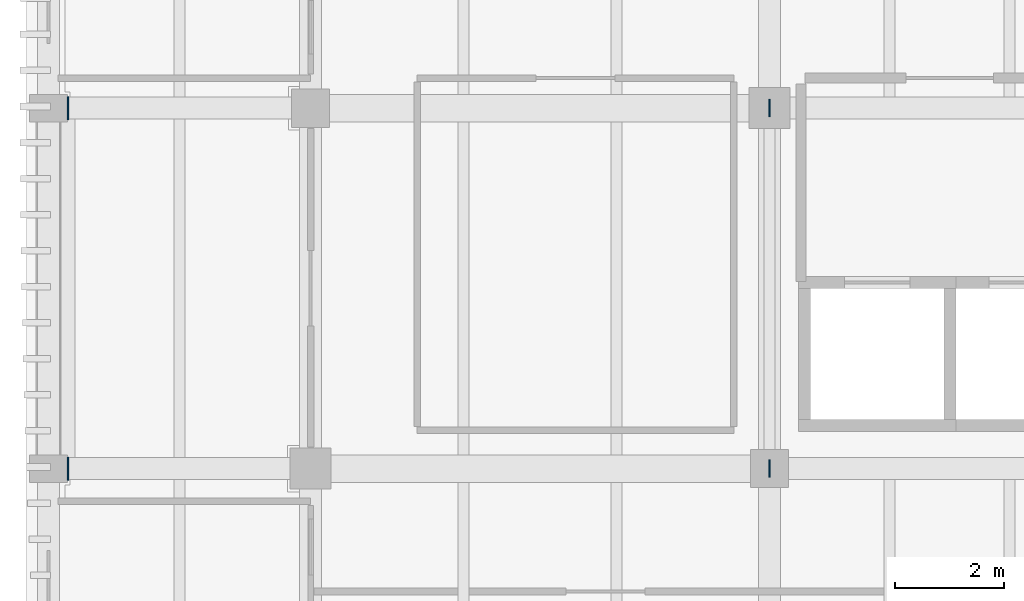
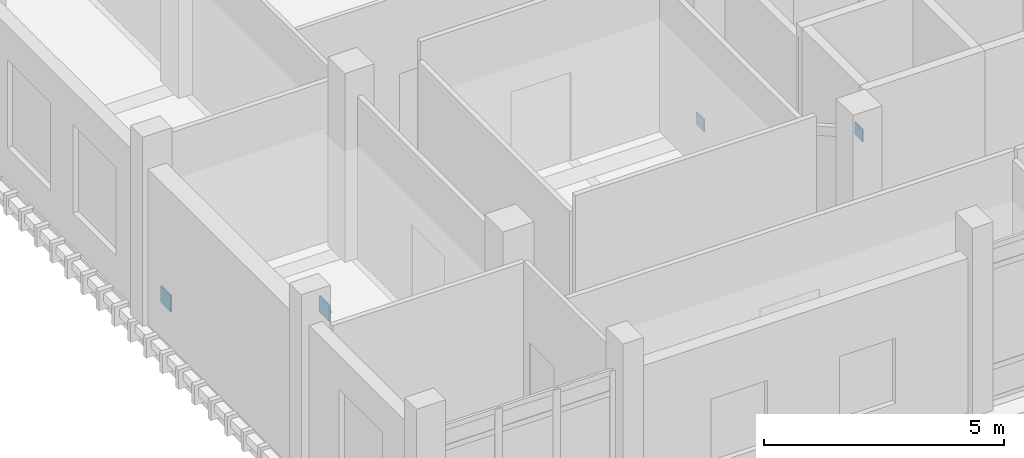
# One storey, part 45 of 76: 4 plates.
"""IFC4 building model written with IfcOpenShell, lengths in metres."""

from ifc_helpers import new_model, si_unit, direction, frame, origin, origin_2d, place, context, subcontext, project, spatial, rectangle, extrude, material, layer, layer_set, type_object, element, save


model = new_model("IFC4")

# Units and contexts
model_context = context("Model", 3, precision=1e-05, world=origin(), true_north=direction((0.0, 1.0)))
body_context = subcontext(model_context, "Body", "Model", "MODEL_VIEW")
ifc_project = project(units=[si_unit("LENGTHUNIT", "METRE"), si_unit("AREAUNIT", "SQUARE_METRE"), si_unit("VOLUMEUNIT", "CUBIC_METRE"), si_unit("PLANEANGLEUNIT", "RADIAN"), si_unit("MASSUNIT", "GRAM", prefix="KILO")], contexts=[model_context])

# Site, building, storey
site_placement = place(None, origin())
site = spatial("IfcSite", under=ifc_project, at=site_placement, CompositionType="ELEMENT")
building_placement = place(site_placement, origin())
building = spatial("IfcBuilding", under=site, at=building_placement, Name="Dornvale Research Institute", CompositionType="ELEMENT")
storey_placement = place(building_placement, frame((0.0, 0.0, 15.0)))
storey = spatial("IfcBuildingStorey", under=building, at=storey_placement, Name="L03", CompositionType="ELEMENT", Elevation=15.0)

# Plates
ifc_material_1 = material(Name="Steel ASTM A572 Grade 50", Category="steel")
ifc_layer_1 = layer(ifc_material_1, 0.02490234375)
ifc_layer_set_1 = layer_set([ifc_layer_1], Name="Steel ASTM A572 Grade 50")
plate_type_1 = type_object("IfcPlateType", Name="SheetPlate_EndCap_25", PredefinedType="SHEET", material=ifc_layer_set_1)
for number, where, z_axis, x_axis, name in (
    (1, (13.199951171875, 110.39990234375, 0.14013671875), (0.0, 0.0, 1.0), (0.0, 1.0, 0.0), "HSS brace node gusset and cap plate ND-031"),
    (2, (13.199951171875, 103.800048828125, 3.89013671875), (0.0, 0.0, 1.0), (0.0, 1.0, 0.0), "HSS brace node gusset and cap plate ND-032"),
):
    element("IfcPlate", number, at=place(storey_placement, frame(where, z_axis=z_axis, x_axis=x_axis)), inside=storey, type_object=plate_type_1, Name=name, PredefinedType="SHEET", context=body_context, shape_type="SweptSolid", body=[
        extrude(rectangle(XDim=0.320068359375, YDim=0.02490234375, at=origin_2d()), origin(), (0.0, 0.0, 1.0), 0.320068359375),
    ])
ifc_material_2 = material(Name="Steel ASTM A572 Grade 50", Category="steel")
ifc_layer_2 = layer(ifc_material_2, 0.031982421875)
ifc_layer_set_2 = layer_set([ifc_layer_2], Name="Steel ASTM A572 Grade 50")
plate_type_2 = type_object("IfcPlateType", Name="SheetPlate_Gusset_32", PredefinedType="SHEET", material=ifc_layer_set_2)
for number, where, z_axis, x_axis, name in (
    (3, (0.360107421875, 110.39990234375, 0.090087890625), (0.0, 0.0, 1.0), (0.0, 1.0, 0.0), "HSS brace node gusset and cap plate ND-021"),
    (4, (0.360107421875, 103.800048828125, 3.840087890625), (0.0, 0.0, 1.0), (0.0, 1.0, 0.0), "HSS brace node gusset and cap plate ND-022"),
):
    element("IfcPlate", number, at=place(storey_placement, frame(where, z_axis=z_axis, x_axis=x_axis)), inside=storey, type_object=plate_type_2, Name=name, PredefinedType="SHEET", context=body_context, shape_type="SweptSolid", body=[
        extrude(rectangle(XDim=0.419921875, YDim=0.031982421875, at=origin_2d()), origin(), (0.0, 0.0, 1.0), 0.419921875),
    ])

save(model, "model.ifc")
